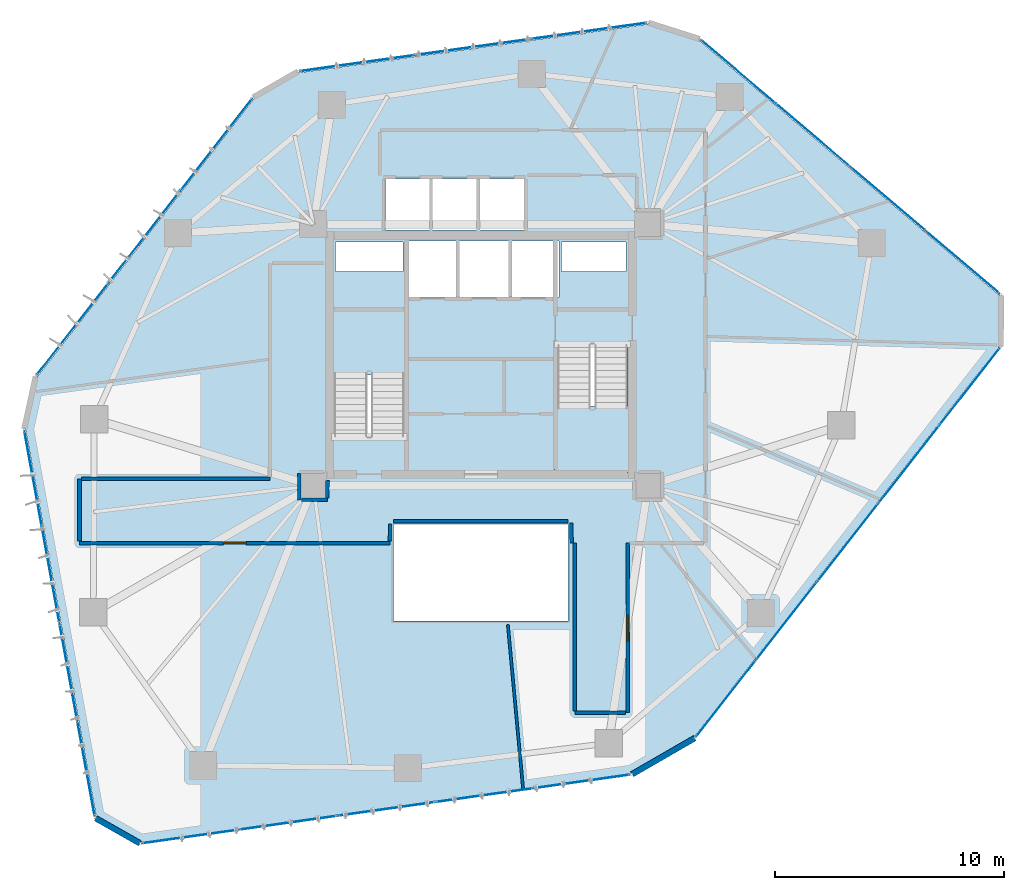
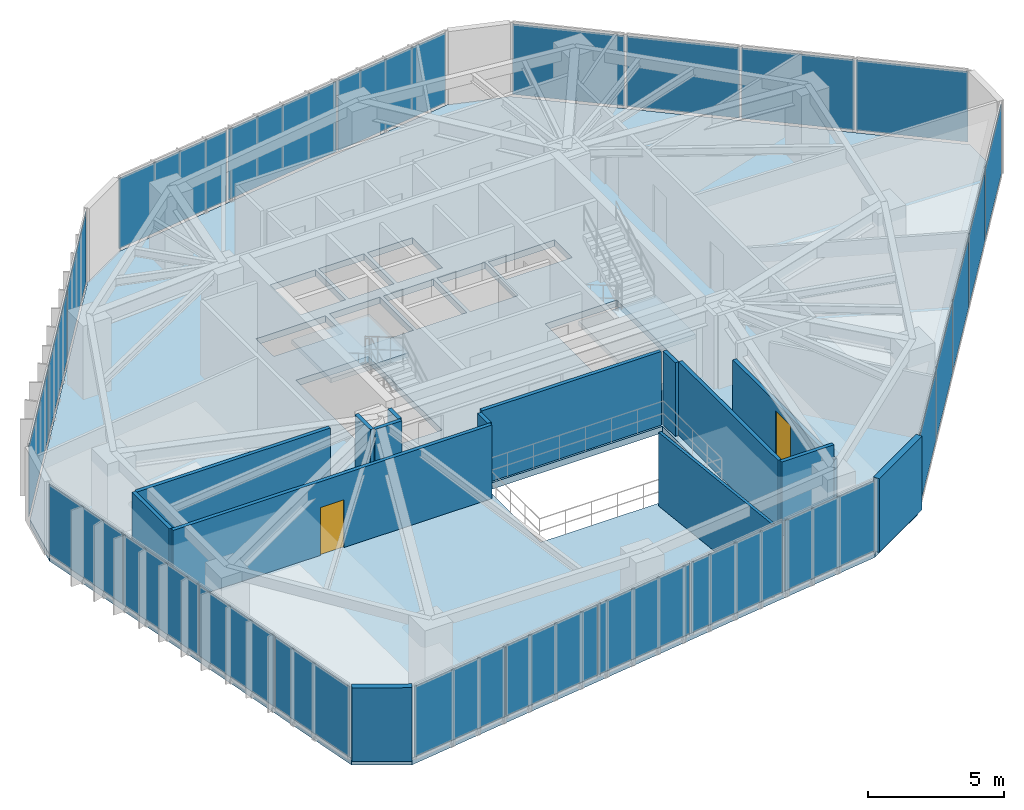
# One storey, part 18 of 24: 24 plates, 15 walls, 3 slabs, 2 doors, 2 openings, 8 elements without a shape of their own.
"""IFC4 building model written with IfcOpenShell, lengths in metres."""

import ifcopenshell
import ifcopenshell.guid

model = None  # the IFC model being written
_history = None  # IfcOwnerHistory: only IFC2X3 demands one
_inside = {}  # id of a spatial element -> (the spatial element, [elements in it])
_under = {}  # id of a project, library or spatial element -> (it, [spatial elements below it])
_declared = {}  # id of a project -> (the project, [libraries it declares])
_typed = {}  # id of a type object -> (the type object, [elements of that type])
_made_of = {}  # id of a material, layer set ... -> (it, [elements and type objects made of it])


def new_model(schema):
    """Start an empty IFC model of exactly this schema.

    Asked for "IFC4X3", IfcOpenShell would pick the latest addendum, in which some entities
    have other attributes; the version numbers below select the first issue.
    IFC2X3 requires an IfcOwnerHistory on every rooted entity: one is made here for all.
    """
    global model, _history
    if schema == "IFC4X3":
        model = ifcopenshell.file(schema_version=(4, 3, 0, 0))
    else:
        model = ifcopenshell.file(schema=schema)
    _inside.clear()
    _under.clear()
    _declared.clear()
    _typed.clear()
    _made_of.clear()
    _history = None
    if model.schema == "IFC2X3":
        org = make("IfcOrganization", Name="unknown")
        user = make(
            "IfcPersonAndOrganization",
            ThePerson=make("IfcPerson", FamilyName="unknown"),
            TheOrganization=org,
        )
        app = make(
            "IfcApplication",
            ApplicationDeveloper=org,
            Version="unknown",
            ApplicationFullName="unknown",
            ApplicationIdentifier="unknown",
        )
        _history = make(
            "IfcOwnerHistory",
            OwningUser=user,
            OwningApplication=app,
            ChangeAction="ADDED",
            CreationDate=0,
        )
    return model


def make(cls, **values):
    """One entity of the class cls with the attributes given. An attribute that is None is left unset."""
    return model.create_entity(
        cls, **{name: value for name, value in values.items() if value is not None}
    )


def rooted(cls, **values):
    """An entity with a GlobalId (a new one), such as an element, a storey or a relation."""
    return make(cls, GlobalId=ifcopenshell.guid.new(), OwnerHistory=_history, **values)


def si_unit(unit_type, name, prefix=None):
    """IfcSIUnit, for example si_unit("LENGTHUNIT", "METRE", prefix="MILLI")."""
    return make("IfcSIUnit", UnitType=unit_type, Prefix=prefix, Name=name)


def assignment(units):
    """IfcUnitAssignment: the units of a project."""
    return None if units is None else make("IfcUnitAssignment", Units=units)


def point(xyz):
    """IfcCartesianPoint."""
    return None if xyz is None else make("IfcCartesianPoint", Coordinates=xyz)


def direction(xyz):
    """IfcDirection."""
    return None if xyz is None else make("IfcDirection", DirectionRatios=xyz)


def frame(location, z_axis=None, x_axis=None):
    """IfcAxis2Placement3D, a coordinate frame: its origin and axes. An axis left out is left unset."""
    return make(
        "IfcAxis2Placement3D",
        Location=point(location),
        Axis=direction(z_axis),
        RefDirection=direction(x_axis),
    )


def frame_2d(location, x_axis=None):
    """IfcAxis2Placement2D, a coordinate frame in the plane: its origin and x axis."""
    return make(
        "IfcAxis2Placement2D", Location=point(location), RefDirection=direction(x_axis)
    )


def origin():
    """The frame at (0, 0, 0) with its axes left unset."""
    return frame((0.0, 0.0, 0.0))


def origin_2d():
    """The frame at (0, 0) in the plane with its x axis left unset."""
    return frame_2d((0.0, 0.0))


def place(relative_to, where):
    """IfcLocalPlacement: puts the frame where relative to a parent placement (None: the world)."""
    return make(
        "IfcLocalPlacement", PlacementRelTo=relative_to, RelativePlacement=where
    )


def context(
    kind, dimensions, precision=None, world=None, true_north=None, identifier=None
):
    """IfcGeometricRepresentationContext, for example the 3D "Model" context."""
    return make(
        "IfcGeometricRepresentationContext",
        ContextIdentifier=identifier,
        ContextType=kind,
        CoordinateSpaceDimension=dimensions,
        Precision=precision,
        WorldCoordinateSystem=world,
        TrueNorth=true_north,
    )


def subcontext(parent, identifier, kind, view, scale=None):
    """IfcGeometricRepresentationSubContext, for example "Body" below "Model"."""
    return make(
        "IfcGeometricRepresentationSubContext",
        ContextIdentifier=identifier,
        ContextType=kind,
        ParentContext=parent,
        TargetScale=scale,
        TargetView=view,
    )


def project(units=None, contexts=None):
    """IfcProject with its units and contexts."""
    return rooted(
        "IfcProject",
        Name="project",
        RepresentationContexts=contexts,
        UnitsInContext=assignment(units),
    )


def spatial(cls, under=None, at=None, **own):
    """A site, building, storey or space (cls), placed at a placement, below another one or the project."""
    s = rooted(cls, ObjectPlacement=at, **own)
    if under is not None:
        _under.setdefault(under.id(), (under, []))[1].append(s)
    return s


def polyline(points):
    """IfcPolyline through the points."""
    return make("IfcPolyline", Points=[point(p) for p in points])


def profile(cls, at=None, kind="AREA", **sizes):
    """A parametric profile (cls). Its sizes go by their IFC names, for example OverallWidth=200.0."""
    return make(cls, ProfileType=kind, Position=at, **sizes)


def rectangle(**sizes):
    """IfcRectangleProfileDef."""
    return profile("IfcRectangleProfileDef", **sizes)


def outline(outer, holes=None, kind="AREA"):
    """IfcArbitraryClosedProfileDef: a profile drawn as a closed curve; with holes, ...WithVoids."""
    if holes is None:
        return make("IfcArbitraryClosedProfileDef", ProfileType=kind, OuterCurve=outer)
    return make(
        "IfcArbitraryProfileDefWithVoids",
        ProfileType=kind,
        OuterCurve=outer,
        InnerCurves=holes,
    )


def extrude(swept, where, along, depth):
    """IfcExtrudedAreaSolid: the profile swept, set in the frame where, extruded along a direction by depth."""
    return make(
        "IfcExtrudedAreaSolid",
        SweptArea=swept,
        Position=where,
        ExtrudedDirection=direction(along),
        Depth=depth,
    )


def shape(context_of_items, identifier, shape_type, items):
    """IfcShapeRepresentation: the items that make up one representation, for example the "Body"."""
    return make(
        "IfcShapeRepresentation",
        ContextOfItems=context_of_items,
        RepresentationIdentifier=identifier,
        RepresentationType=shape_type,
        Items=items,
    )


def source(mapping_origin, context_of_items, identifier, shape_type, items):
    """IfcRepresentationMap: a shape defined once, which mapped items show again and again."""
    return make(
        "IfcRepresentationMap",
        MappingOrigin=mapping_origin,
        MappedRepresentation=shape(context_of_items, identifier, shape_type, items),
    )


def transform(
    local_origin,
    x_axis=None,
    y_axis=None,
    z_axis=None,
    scale=None,
    scale2=None,
    scale3=None,
    uniform=True,
):
    """IfcCartesianTransformationOperator3D, or its non-uniform kind. x_axis, y_axis, z_axis: its Axis1, 2, 3."""
    if uniform:
        return make(
            "IfcCartesianTransformationOperator3D",
            Axis1=direction(x_axis),
            Axis2=direction(y_axis),
            LocalOrigin=point(local_origin),
            Scale=scale,
            Axis3=direction(z_axis),
        )
    return make(
        "IfcCartesianTransformationOperator3DnonUniform",
        Axis1=direction(x_axis),
        Axis2=direction(y_axis),
        LocalOrigin=point(local_origin),
        Scale=scale,
        Axis3=direction(z_axis),
        Scale2=scale2,
        Scale3=scale3,
    )


def mapped(mapping_source, mapping_target):
    """IfcMappedItem: shows the shape of a source again, moved by a transform."""
    return make(
        "IfcMappedItem", MappingSource=mapping_source, MappingTarget=mapping_target
    )


def material(Name=None, Category=None):
    """IfcMaterial."""
    return make("IfcMaterial", Name=Name, Category=Category)


def layer(
    of_material, thickness, ventilated=None, Name=None, Category=None, Priority=None
):
    """IfcMaterialLayer: one layer of a wall or slab, of a material (None: an air gap)."""
    return make(
        "IfcMaterialLayer",
        Material=of_material,
        LayerThickness=thickness,
        IsVentilated=ventilated,
        Name=Name,
        Category=Category,
        Priority=Priority,
    )


def layer_set(layers, Name=None):
    """IfcMaterialLayerSet."""
    return make("IfcMaterialLayerSet", MaterialLayers=layers, LayerSetName=Name)


def made_of(thing, what):
    """Note that an element or type object is made of a material, layer set ...; save() writes the relation."""
    if what is not None:
        _made_of.setdefault(what.id(), (what, []))[1].append(thing)
    return thing


def type_object(cls, material=None, **own):
    """A type object (cls), such as IfcWallType, which elements share."""
    return made_of(rooted(cls, **own), material)


def type_shapes(of_type, sources):
    """Give a type object the sources (RepresentationMaps) that its elements show as mapped items."""
    of_type.RepresentationMaps = sources


def element(
    cls,
    number,
    at=None,
    inside=None,
    cuts=None,
    type_object=None,
    material=None,
    context=None,
    identifier="Body",
    shape_type=None,
    held_by="IfcProductDefinitionShape",
    body=None,
    shapes=None,
    **own,
):
    """One element of the class cls, such as IfcWall. Its Tag is "e" and its number.

    at: its placement. inside: the storey or other place that contains it. cuts: it is an
    opening in that element (IfcRelVoidsElement). A single representation is given by context,
    identifier, shape_type and body (its items); several are given by shapes. held_by: the class
    of the entity that holds the representations. save() writes the other relations.
    """
    e = rooted(cls, Tag="e%d" % number, ObjectPlacement=at, **own)
    if body is not None:
        shapes = [shape(context, identifier, shape_type, body)]
    if shapes is not None:
        e.Representation = make(held_by, Representations=shapes)
    if inside is not None:
        _inside.setdefault(inside.id(), (inside, []))[1].append(e)
    if cuts is not None:
        rooted(
            "IfcRelVoidsElement", RelatingBuildingElement=cuts, RelatedOpeningElement=e
        )
    if type_object is not None:
        _typed.setdefault(type_object.id(), (type_object, []))[1].append(e)
    return made_of(e, material)


def fill(opening, filler):
    """IfcRelFillsElement: the door or window that sits in an opening."""
    return rooted(
        "IfcRelFillsElement",
        RelatingOpeningElement=opening,
        RelatedBuildingElement=filler,
    )


def aggregate(whole, parts):
    """IfcRelAggregates: a whole, such as a stair, and the parts it consists of."""
    return rooted("IfcRelAggregates", RelatingObject=whole, RelatedObjects=parts)


def save(model, path):
    """Write the relations noted so far, then the file.

    IfcRelAggregates (storeys below a building ...), IfcRelContainedInSpatialStructure (elements
    in a storey), IfcRelDefinesByType, IfcRelAssociatesMaterial and IfcRelDeclares: one each for
    every whole, place, type object, material and project.
    """
    for whole, parts in _under.values():
        aggregate(whole, parts)
    for where, things in _inside.values():
        rooted(
            "IfcRelContainedInSpatialStructure",
            RelatedElements=things,
            RelatingStructure=where,
        )
    for kind, things in _typed.values():
        rooted("IfcRelDefinesByType", RelatedObjects=things, RelatingType=kind)
    for what, things in _made_of.values():
        rooted("IfcRelAssociatesMaterial", RelatedObjects=things, RelatingMaterial=what)
    for by, libraries in _declared.values():
        rooted("IfcRelDeclares", RelatingContext=by, RelatedDefinitions=libraries)
    model.write(path)


model = new_model("IFC4")

# Units and contexts
model_context = context("Model", 3, precision=1e-05, world=origin(), true_north=direction((0.0, 1.0)))
body_context = subcontext(model_context, "Body", "Model", "MODEL_VIEW")
ifc_project = project(units=[si_unit("LENGTHUNIT", "METRE"), si_unit("AREAUNIT", "SQUARE_METRE"), si_unit("VOLUMEUNIT", "CUBIC_METRE"), si_unit("PLANEANGLEUNIT", "RADIAN"), si_unit("MASSUNIT", "GRAM", prefix="KILO")], contexts=[model_context])

# Site, building, storey
site_placement = place(None, origin())
site = spatial("IfcSite", under=ifc_project, at=site_placement, CompositionType="ELEMENT")
building_placement = place(site_placement, origin())
building = spatial("IfcBuilding", under=site, at=building_placement, Name="Talar Marvaseh", CompositionType="ELEMENT")
storey_placement = place(building_placement, frame((0.0, 0.0, 114.60009765625)))
storey = spatial("IfcBuildingStorey", under=building, at=storey_placement, Name="L29", CompositionType="ELEMENT", Elevation=114.60009765625)

# Stair, slab
ifc_material_1 = material(Name="Concrete C40/50", Category="concrete")
stair_type = type_object("IfcStairType", Name="Reinforced Concrete Half-Turn Exit Stair Type B", PredefinedType="HALF_TURN_STAIR", material=ifc_material_1)
stair_1_placement = place(storey_placement, origin())
stair_1 = element("IfcStair", 1, at=stair_1_placement, inside=storey, type_object=stair_type, Name="L29 Tower West Core Exit Stair", PredefinedType="HALF_TURN_STAIR")
ifc_layer_1 = layer(ifc_material_1, 0.199951171875)
ifc_layer_set_1 = layer_set([ifc_layer_1], Name="Concrete C40/50")
slab_type_1 = type_object("IfcSlabType", Name="Reinforced Concrete Stair Half-Landing Slab 200", PredefinedType="LANDING", material=ifc_layer_set_1)
slab_1_placement = place(storey_placement, frame((0.0, 0.0, 1.599853515625)))
slab_1 = element("IfcSlab", 2, at=slab_1_placement, type_object=slab_type_1, Name="ST-1 landing 1", PredefinedType="LANDING", context=body_context, shape_type="SweptSolid", body=[
    extrude(outline(polyline([(22.780029296875, 30.330078125), (22.780029296875, 33.219970703125), (19.47998046875, 33.219970703125), (19.47998046875, 30.330078125), (22.780029296875, 30.330078125)])), origin(), (0.0, 0.0, 1.0), 0.199951171875),
])
aggregate(stair_1, [slab_1])

stair_2_placement = place(storey_placement, origin())
stair_2 = element("IfcStair", 3, at=stair_2_placement, inside=storey, type_object=stair_type, Name="L29 Tower East Core Exit Stair", PredefinedType="HALF_TURN_STAIR")
slab_2_placement = place(storey_placement, frame((0.0, 0.0, 1.599853515625)))
slab_2 = element("IfcSlab", 4, at=slab_2_placement, type_object=slab_type_1, Name="ST-2 landing 1", PredefinedType="LANDING", context=body_context, shape_type="SweptSolid", body=[
    extrude(outline(polyline([(29.219970703125, 28.969970703125), (29.219970703125, 26.080078125), (32.52001953125, 26.080078125), (32.52001953125, 28.969970703125), (29.219970703125, 28.969970703125)])), origin(), (0.0, 0.0, 1.0), 0.199951171875),
])
aggregate(stair_2, [slab_2])

# Slab
ifc_layer_2 = layer(ifc_material_1, 0.2900390625)
ifc_layer_set_2 = layer_set([ifc_layer_2], Name="Concrete C40/50")
slab_type_2 = type_object("IfcSlabType", Name="Structural Suspended Floor Slab 290", PredefinedType="FLOOR", material=ifc_layer_set_2)
slab_3_placement = place(storey_placement, frame((0.0, 0.0, -0.2900390625)))
element("IfcSlab", 5, at=slab_3_placement, inside=storey, type_object=slab_type_2, Name="L29 Tower Floor Slab", PredefinedType="FLOOR", context=body_context, shape_type="SweptSolid", body=[
    extrude(outline(polyline([(11.162109375, 9.955078125), (9.234375, 11.049072265625), (6.14697265625, 27.9609375), (6.6484375, 30.247314453125), (16.109375, 42.38623046875), (18.053466796875, 43.5087890625), (33.29638671875, 45.632568359375), (35.52734375, 44.923828125), (48.6298828125, 33.7939453125), (48.61328125, 31.577392578125), (35.301513671875, 14.54443359375), (32.569091796875, 12.966796875), (11.162109375, 9.955078125)]), holes=[polyline([(22.659912109375, 27.64990234375), (22.659912109375, 33.10009765625), (19.60009765625, 33.10009765625), (19.60009765625, 27.64990234375), (22.659912109375, 27.64990234375)]), polyline([(29.340087890625, 31.64990234375), (29.340087890625, 26.199951171875), (32.39990234375, 26.199951171875), (32.39990234375, 31.64990234375), (29.340087890625, 31.64990234375)]), polyline([(22.800048828125, 33.719970703125), (24.93994140625, 33.719970703125), (24.93994140625, 36.179931640625), (22.800048828125, 36.179931640625), (22.800048828125, 33.719970703125)]), polyline([(25.080078125, 33.719970703125), (27.219970703125, 33.719970703125), (27.219970703125, 36.179931640625), (25.080078125, 36.179931640625), (25.080078125, 33.719970703125)]), polyline([(27.360107421875, 33.719970703125), (29.39990234375, 33.719970703125), (29.39990234375, 36.179931640625), (27.360107421875, 36.179931640625), (27.360107421875, 33.719970703125)]), polyline([(21.840087890625, 36.659912109375), (23.760009765625, 36.659912109375), (23.760009765625, 38.8798828125), (21.840087890625, 38.8798828125), (21.840087890625, 36.659912109375)]), polyline([(23.89990234375, 36.659912109375), (25.820068359375, 36.659912109375), (25.820068359375, 38.8798828125), (23.89990234375, 38.8798828125), (23.89990234375, 36.659912109375)]), polyline([(25.9599609375, 36.659912109375), (27.8798828125, 36.659912109375), (27.8798828125, 38.8798828125), (25.9599609375, 38.8798828125), (25.9599609375, 36.659912109375)]), polyline([(19.659912109375, 34.840087890625), (22.60009765625, 34.840087890625), (22.60009765625, 36.139892578125), (19.659912109375, 36.139892578125), (19.659912109375, 34.840087890625)]), polyline([(29.52001953125, 34.840087890625), (32.340087890625, 34.840087890625), (32.340087890625, 36.139892578125), (29.52001953125, 36.139892578125), (29.52001953125, 34.840087890625)]), polyline([(22.199951171875, 19.60009765625), (29.800048828125, 19.60009765625), (29.800048828125, 23.800048828125), (22.199951171875, 23.800048828125), (22.199951171875, 19.60009765625)])]), origin(), (0.0, 0.0, 1.0), 0.2900390625),
])

# Curtain wall, plates
ifc_material_2 = material(Name="Architectural Aluminium", Category="aluminium")
ifc_layer_3 = layer(ifc_material_2, 0.199951171875)
ifc_layer_set_3 = layer_set([ifc_layer_3], Name="Architectural Aluminium")
curtain_wall_type = type_object("IfcCurtainWallType", Name="Unitised Acoustic Library Curtain Wall Z2", PredefinedType="NOTDEFINED", material=ifc_layer_set_3)
curtain_wall_1_placement = place(storey_placement, origin())
curtain_wall_1 = element("IfcCurtainWall", 6, at=curtain_wall_1_placement, inside=storey, type_object=curtain_wall_type, Name="L29 Unitised Acoustic Library Curtain Wall Z2", PredefinedType="NOTDEFINED")
ifc_material_3 = material(Name="Laminated Low-E Solar Glass", Category="glass")
ifc_layer_4 = layer(ifc_material_3, 0.028076171875)
ifc_layer_set_4 = layer_set([ifc_layer_4], Name="Laminated Low-E Solar Glass")
plate_type = type_object("IfcPlateType", Name="Double-Glazed Low-E Vision Curtain Panel 28", PredefinedType="CURTAIN_PANEL", material=ifc_layer_set_4)
shared_shape_1 = source(origin(), body_context, "Body", "SweptSolid", [
    extrude(rectangle(XDim=4.185302734375, YDim=0.028076171875, at=origin_2d()), origin(), (0.0, 0.0, 1.0), 3.159912109375),
])
plate_1_placement = place(storey_placement, frame((8.7861328125, 13.170654296875, 0.07470703125), z_axis=(0.0, 0.0, 1.0), x_axis=(-0.179594345885, 0.983740753921, 0.0)))
plate_1 = element("IfcPlate", 7, at=plate_1_placement, type_object=plate_type, Name="CW-Z2 panel 1.1", PredefinedType="CURTAIN_PANEL", context=body_context, shape_type="MappedRepresentation", body=[
    mapped(shared_shape_1, transform((0.0, 0.0, 0.0), x_axis=(1.0, 0.0, 0.0), y_axis=(0.0, 1.0, 0.0), z_axis=(0.0, 0.0, 1.0), scale=1.0)),
])
plate_2_placement = place(storey_placement, frame((6.477294921875, 25.81787109375, 0.07470703125), z_axis=(0.0, 0.0, 1.0), x_axis=(-0.179594345885, 0.983740753921, 0.0)))
plate_2 = element("IfcPlate", 8, at=plate_2_placement, type_object=plate_type, Name="CW-Z2 panel 4.1", PredefinedType="CURTAIN_PANEL", context=body_context, shape_type="MappedRepresentation", body=[
    mapped(shared_shape_1, transform((0.0, 0.0, 0.0), x_axis=(1.0, 0.0, 0.0), y_axis=(0.0, 1.0, 0.0), z_axis=(0.0, 0.0, 1.0), scale=1.0)),
])

curtain_wall_2_placement = place(storey_placement, origin())
curtain_wall_2 = element("IfcCurtainWall", 9, at=curtain_wall_2_placement, inside=storey, type_object=curtain_wall_type, Name="L29 Unitised Acoustic Library Curtain Wall Z2", PredefinedType="NOTDEFINED")
plate_3_placement = place(storey_placement, frame((37.21826171875, 43.566162109375, 0.07470703125), z_axis=(0.0, 0.0, 1.0), x_axis=(0.762146665884, -0.647404401964, 0.0)))
plate_3 = element("IfcPlate", 10, at=plate_3_placement, type_object=plate_type, Name="CW-Z2 panel 1.1", PredefinedType="CURTAIN_PANEL", context=body_context, shape_type="MappedRepresentation", body=[
    mapped(shared_shape_1, transform((0.0, 0.0, 0.0), x_axis=(1.0, 0.0, 0.0), y_axis=(0.0, 1.0, 0.0), z_axis=(0.0, 0.0, 1.0), scale=1.0)),
])
plate_4_placement = place(storey_placement, frame((47.0166015625, 35.242919921875, 0.07470703125), z_axis=(0.0, 0.0, 1.0), x_axis=(0.762146665884, -0.647404401964, 0.0)))
plate_4 = element("IfcPlate", 11, at=plate_4_placement, type_object=plate_type, Name="CW-Z2 panel 4.1", PredefinedType="CURTAIN_PANEL", context=body_context, shape_type="MappedRepresentation", body=[
    mapped(shared_shape_1, transform((0.0, 0.0, 0.0), x_axis=(1.0, 0.0, 0.0), y_axis=(0.0, 1.0, 0.0), z_axis=(0.0, 0.0, 1.0), scale=1.0)),
])

# Plate
shared_shape_2 = source(origin(), body_context, "Body", "SweptSolid", [
    extrude(rectangle(XDim=4.222900390625, YDim=0.028076171875, at=origin_2d()), origin(), (0.0, 0.0, 1.0), 3.159912109375),
])
plate_5_placement = place(storey_placement, frame((8.017578125, 17.380126953125, 0.07470703125), z_axis=(0.0, 0.0, 1.0), x_axis=(-0.179594345885, 0.983740753921, 0.0)))
plate_5 = element("IfcPlate", 12, at=plate_5_placement, type_object=plate_type, Name="CW-Z2 panel 2.1", PredefinedType="CURTAIN_PANEL", context=body_context, shape_type="MappedRepresentation", body=[
    mapped(shared_shape_2, transform((0.0, 0.0, 0.0), x_axis=(1.0, 0.0, 0.0), y_axis=(0.0, 1.0, 0.0), z_axis=(0.0, 0.0, 1.0), scale=1.0)),
])

plate_6_placement = place(storey_placement, frame((7.24560546875, 21.608154296875, 0.07470703125), z_axis=(0.0, 0.0, 1.0), x_axis=(-0.179594345885, 0.983740753921, 0.0)))
plate_6 = element("IfcPlate", 13, at=plate_6_placement, type_object=plate_type, Name="CW-Z2 panel 3.1", PredefinedType="CURTAIN_PANEL", context=body_context, shape_type="MappedRepresentation", body=[
    mapped(shared_shape_2, transform((0.0, 0.0, 0.0), x_axis=(1.0, 0.0, 0.0), y_axis=(0.0, 1.0, 0.0), z_axis=(0.0, 0.0, 1.0), scale=1.0)),
])

aggregate(curtain_wall_1, [plate_1, plate_5, plate_6, plate_2])

plate_7_placement = place(storey_placement, frame((40.4794921875, 40.7958984375, 0.07470703125), z_axis=(0.0, 0.0, 1.0), x_axis=(0.762146665884, -0.647404401964, 0.0)))
plate_7 = element("IfcPlate", 14, at=plate_7_placement, type_object=plate_type, Name="CW-Z2 panel 2.1", PredefinedType="CURTAIN_PANEL", context=body_context, shape_type="MappedRepresentation", body=[
    mapped(shared_shape_2, transform((0.0, 0.0, 0.0), x_axis=(1.0, 0.0, 0.0), y_axis=(0.0, 1.0, 0.0), z_axis=(0.0, 0.0, 1.0), scale=1.0)),
])

plate_8_placement = place(storey_placement, frame((43.755126953125, 38.013427734375, 0.07470703125), z_axis=(0.0, 0.0, 1.0), x_axis=(0.762146665884, -0.647404401964, 0.0)))
plate_8 = element("IfcPlate", 15, at=plate_8_placement, type_object=plate_type, Name="CW-Z2 panel 3.1", PredefinedType="CURTAIN_PANEL", context=body_context, shape_type="MappedRepresentation", body=[
    mapped(shared_shape_2, transform((0.0, 0.0, 0.0), x_axis=(1.0, 0.0, 0.0), y_axis=(0.0, 1.0, 0.0), z_axis=(0.0, 0.0, 1.0), scale=1.0)),
])

aggregate(curtain_wall_2, [plate_3, plate_7, plate_8, plate_4])

# Curtain wall, plates
curtain_wall_3_placement = place(storey_placement, origin())
curtain_wall_3 = element("IfcCurtainWall", 16, at=curtain_wall_3_placement, inside=storey, type_object=curtain_wall_type, Name="L29 Unitised Acoustic Library Curtain Wall Z2", PredefinedType="NOTDEFINED")
shared_shape_3 = source(origin(), body_context, "Body", "SweptSolid", [
    extrude(rectangle(XDim=5.017578125, YDim=0.028076171875, at=origin_2d()), origin(), (0.0, 0.0, 1.0), 3.159912109375),
])
plate_9_placement = place(storey_placement, frame((8.189453125, 32.322265625, 0.07470703125), z_axis=(0.0, 0.0, 1.0), x_axis=(0.614730221131, 0.788737443785, 0.0)))
plate_9 = element("IfcPlate", 17, at=plate_9_placement, type_object=plate_type, Name="CW-Z2 panel 1.1", PredefinedType="CURTAIN_PANEL", context=body_context, shape_type="MappedRepresentation", body=[
    mapped(shared_shape_3, transform((0.0, 0.0, 0.0), x_axis=(1.0, 0.0, 0.0), y_axis=(0.0, 1.0, 0.0), z_axis=(0.0, 0.0, 1.0), scale=1.0)),
])
plate_10_placement = place(storey_placement, frame((14.4736328125, 40.38525390625, 0.07470703125), z_axis=(0.0, 0.0, 1.0), x_axis=(0.614730221131, 0.788737443785, 0.0)))
plate_10 = element("IfcPlate", 18, at=plate_10_placement, type_object=plate_type, Name="CW-Z2 panel 3.1", PredefinedType="CURTAIN_PANEL", context=body_context, shape_type="MappedRepresentation", body=[
    mapped(shared_shape_3, transform((0.0, 0.0, 0.0), x_axis=(1.0, 0.0, 0.0), y_axis=(0.0, 1.0, 0.0), z_axis=(0.0, 0.0, 1.0), scale=1.0)),
])

curtain_wall_4_placement = place(storey_placement, origin())
curtain_wall_4 = element("IfcCurtainWall", 19, at=curtain_wall_4_placement, inside=storey, type_object=curtain_wall_type, Name="L29 Unitised Acoustic Library Curtain Wall Z2", PredefinedType="NOTDEFINED")
plate_11_placement = place(storey_placement, frame((20.604248046875, 43.9248046875, 0.07470703125), z_axis=(0.0, 0.0, 1.0), x_axis=(0.990432589629, 0.137997410848, 0.0)))
plate_11 = element("IfcPlate", 20, at=plate_11_placement, type_object=plate_type, Name="CW-Z2 panel 1.1", PredefinedType="CURTAIN_PANEL", context=body_context, shape_type="MappedRepresentation", body=[
    mapped(shared_shape_3, transform((0.0, 0.0, 0.0), x_axis=(1.0, 0.0, 0.0), y_axis=(0.0, 1.0, 0.0), z_axis=(0.0, 0.0, 1.0), scale=1.0)),
])
plate_12_placement = place(storey_placement, frame((30.72900390625, 45.33544921875, 0.07470703125), z_axis=(0.0, 0.0, 1.0), x_axis=(0.990432589629, 0.137997410848, 0.0)))
plate_12 = element("IfcPlate", 21, at=plate_12_placement, type_object=plate_type, Name="CW-Z2 panel 3.1", PredefinedType="CURTAIN_PANEL", context=body_context, shape_type="MappedRepresentation", body=[
    mapped(shared_shape_3, transform((0.0, 0.0, 0.0), x_axis=(1.0, 0.0, 0.0), y_axis=(0.0, 1.0, 0.0), z_axis=(0.0, 0.0, 1.0), scale=1.0)),
])
shared_shape_4 = source(origin(), body_context, "Body", "SweptSolid", [
    extrude(rectangle(XDim=5.054931640625, YDim=0.028076171875, at=origin_2d()), origin(), (0.0, 0.0, 1.0), 3.159912109375),
])
plate_13_placement = place(storey_placement, frame((25.666748046875, 44.630126953125, 0.07470703125), z_axis=(0.0, 0.0, 1.0), x_axis=(0.990432589629, 0.137997410848, 0.0)))
plate_13 = element("IfcPlate", 22, at=plate_13_placement, type_object=plate_type, Name="CW-Z2 panel 2.1", PredefinedType="CURTAIN_PANEL", context=body_context, shape_type="MappedRepresentation", body=[
    mapped(shared_shape_4, transform((0.0, 0.0, 0.0), x_axis=(1.0, 0.0, 0.0), y_axis=(0.0, 1.0, 0.0), z_axis=(0.0, 0.0, 1.0), scale=1.0)),
])
aggregate(curtain_wall_4, [plate_11, plate_13, plate_12])

# Plate
shared_shape_5 = source(origin(), body_context, "Body", "SweptSolid", [
    extrude(rectangle(XDim=5.05517578125, YDim=0.028076171875, at=origin_2d()), origin(), (0.0, 0.0, 1.0), 3.159912109375),
])
plate_14_placement = place(storey_placement, frame((11.33154296875, 36.353759765625, 0.07470703125), z_axis=(0.0, 0.0, 1.0), x_axis=(0.614730221131, 0.788737443785, 0.0)))
plate_14 = element("IfcPlate", 23, at=plate_14_placement, type_object=plate_type, Name="CW-Z2 panel 2.1", PredefinedType="CURTAIN_PANEL", context=body_context, shape_type="MappedRepresentation", body=[
    mapped(shared_shape_5, transform((0.0, 0.0, 0.0), x_axis=(1.0, 0.0, 0.0), y_axis=(0.0, 1.0, 0.0), z_axis=(0.0, 0.0, 1.0), scale=1.0)),
])

aggregate(curtain_wall_3, [plate_9, plate_14, plate_10])

# Curtain wall, plates
curtain_wall_5_placement = place(storey_placement, origin())
curtain_wall_5 = element("IfcCurtainWall", 24, at=curtain_wall_5_placement, inside=storey, type_object=curtain_wall_type, Name="L29 Unitised Acoustic Library Curtain Wall Z2", PredefinedType="NOTDEFINED")
shared_shape_6 = source(origin(), body_context, "Body", "SweptSolid", [
    extrude(rectangle(XDim=4.2109375, YDim=0.028076171875, at=origin_2d()), origin(), (0.0, 0.0, 1.0), 3.159912109375),
])
plate_15_placement = place(storey_placement, frame((47.31787109375, 29.822509765625, 0.07470703125), z_axis=(0.0, 0.0, 1.0), x_axis=(-0.615783262175, -0.787915588134, 0.0)))
plate_15 = element("IfcPlate", 25, at=plate_15_placement, type_object=plate_type, Name="CW-Z2 panel 1.1", PredefinedType="CURTAIN_PANEL", context=body_context, shape_type="MappedRepresentation", body=[
    mapped(shared_shape_6, transform((0.0, 0.0, 0.0), x_axis=(1.0, 0.0, 0.0), y_axis=(0.0, 1.0, 0.0), z_axis=(0.0, 0.0, 1.0), scale=1.0)),
])
plate_16_placement = place(storey_placement, frame((36.69140625, 16.2255859375, 0.07470703125), z_axis=(0.0, 0.0, 1.0), x_axis=(-0.615783262175, -0.787915588134, 0.0)))
plate_16 = element("IfcPlate", 26, at=plate_16_placement, type_object=plate_type, Name="CW-Z2 panel 5.1", PredefinedType="CURTAIN_PANEL", context=body_context, shape_type="MappedRepresentation", body=[
    mapped(shared_shape_6, transform((0.0, 0.0, 0.0), x_axis=(1.0, 0.0, 0.0), y_axis=(0.0, 1.0, 0.0), z_axis=(0.0, 0.0, 1.0), scale=1.0)),
])

curtain_wall_6_placement = place(storey_placement, origin())
curtain_wall_6 = element("IfcCurtainWall", 27, at=curtain_wall_6_placement, inside=storey, type_object=curtain_wall_type, Name="L29 Unitised Acoustic Library Curtain Wall Z2", PredefinedType="NOTDEFINED")
plate_17_placement = place(storey_placement, frame((30.418212890625, 12.603759765625, 0.07470703125), z_axis=(0.0, 0.0, 1.0), x_axis=(-0.990246659088, -0.139325353633, 0.0)))
plate_17 = element("IfcPlate", 28, at=plate_17_placement, type_object=plate_type, Name="CW-Z2 panel 1.1", PredefinedType="CURTAIN_PANEL", context=body_context, shape_type="MappedRepresentation", body=[
    mapped(shared_shape_6, transform((0.0, 0.0, 0.0), x_axis=(1.0, 0.0, 0.0), y_axis=(0.0, 1.0, 0.0), z_axis=(0.0, 0.0, 1.0), scale=1.0)),
])
plate_18_placement = place(storey_placement, frame((13.329833984375, 10.199462890625, 0.07470703125), z_axis=(0.0, 0.0, 1.0), x_axis=(-0.990246659088, -0.139325353633, 0.0)))
plate_18 = element("IfcPlate", 29, at=plate_18_placement, type_object=plate_type, Name="CW-Z2 panel 5.1", PredefinedType="CURTAIN_PANEL", context=body_context, shape_type="MappedRepresentation", body=[
    mapped(shared_shape_6, transform((0.0, 0.0, 0.0), x_axis=(1.0, 0.0, 0.0), y_axis=(0.0, 1.0, 0.0), z_axis=(0.0, 0.0, 1.0), scale=1.0)),
])

# Plate
shared_shape_7 = source(origin(), body_context, "Body", "SweptSolid", [
    extrude(rectangle(XDim=4.24853515625, YDim=0.028076171875, at=origin_2d()), origin(), (0.0, 0.0, 1.0), 3.159912109375),
])
type_shapes(plate_type, [shared_shape_1, shared_shape_2, shared_shape_3, shared_shape_4, shared_shape_5, shared_shape_6, shared_shape_7])
plate_19_placement = place(storey_placement, frame((44.6669921875, 26.4306640625, 0.07470703125), z_axis=(0.0, 0.0, 1.0), x_axis=(-0.615783262175, -0.787915588134, 0.0)))
plate_19 = element("IfcPlate", 30, at=plate_19_placement, type_object=plate_type, Name="CW-Z2 panel 2.1", PredefinedType="CURTAIN_PANEL", context=body_context, shape_type="MappedRepresentation", body=[
    mapped(shared_shape_7, transform((0.0, 0.0, 0.0), x_axis=(1.0, 0.0, 0.0), y_axis=(0.0, 1.0, 0.0), z_axis=(0.0, 0.0, 1.0), scale=1.0)),
])

plate_20_placement = place(storey_placement, frame((42.004638671875, 23.024169921875, 0.07470703125), z_axis=(0.0, 0.0, 1.0), x_axis=(-0.615783262175, -0.787915588134, 0.0)))
plate_20 = element("IfcPlate", 31, at=plate_20_placement, type_object=plate_type, Name="CW-Z2 panel 3.1", PredefinedType="CURTAIN_PANEL", context=body_context, shape_type="MappedRepresentation", body=[
    mapped(shared_shape_7, transform((0.0, 0.0, 0.0), x_axis=(1.0, 0.0, 0.0), y_axis=(0.0, 1.0, 0.0), z_axis=(0.0, 0.0, 1.0), scale=1.0)),
])

plate_21_placement = place(storey_placement, frame((39.34228515625, 19.617431640625, 0.07470703125), z_axis=(0.0, 0.0, 1.0), x_axis=(-0.615783262175, -0.787915588134, 0.0)))
plate_21 = element("IfcPlate", 32, at=plate_21_placement, type_object=plate_type, Name="CW-Z2 panel 4.1", PredefinedType="CURTAIN_PANEL", context=body_context, shape_type="MappedRepresentation", body=[
    mapped(shared_shape_7, transform((0.0, 0.0, 0.0), x_axis=(1.0, 0.0, 0.0), y_axis=(0.0, 1.0, 0.0), z_axis=(0.0, 0.0, 1.0), scale=1.0)),
])

aggregate(curtain_wall_5, [plate_15, plate_19, plate_20, plate_21, plate_16])

plate_22_placement = place(storey_placement, frame((26.155517578125, 12.00390625, 0.07470703125), z_axis=(0.0, 0.0, 1.0), x_axis=(-0.990246659088, -0.139325353633, 0.0)))
plate_22 = element("IfcPlate", 33, at=plate_22_placement, type_object=plate_type, Name="CW-Z2 panel 2.1", PredefinedType="CURTAIN_PANEL", context=body_context, shape_type="MappedRepresentation", body=[
    mapped(shared_shape_7, transform((0.0, 0.0, 0.0), x_axis=(1.0, 0.0, 0.0), y_axis=(0.0, 1.0, 0.0), z_axis=(0.0, 0.0, 1.0), scale=1.0)),
])

plate_23_placement = place(storey_placement, frame((21.8740234375, 11.401611328125, 0.07470703125), z_axis=(0.0, 0.0, 1.0), x_axis=(-0.990246659088, -0.139325353633, 0.0)))
plate_23 = element("IfcPlate", 34, at=plate_23_placement, type_object=plate_type, Name="CW-Z2 panel 3.1", PredefinedType="CURTAIN_PANEL", context=body_context, shape_type="MappedRepresentation", body=[
    mapped(shared_shape_7, transform((0.0, 0.0, 0.0), x_axis=(1.0, 0.0, 0.0), y_axis=(0.0, 1.0, 0.0), z_axis=(0.0, 0.0, 1.0), scale=1.0)),
])

plate_24_placement = place(storey_placement, frame((17.5927734375, 10.799072265625, 0.07470703125), z_axis=(0.0, 0.0, 1.0), x_axis=(-0.990246659088, -0.139325353633, 0.0)))
plate_24 = element("IfcPlate", 35, at=plate_24_placement, type_object=plate_type, Name="CW-Z2 panel 4.1", PredefinedType="CURTAIN_PANEL", context=body_context, shape_type="MappedRepresentation", body=[
    mapped(shared_shape_7, transform((0.0, 0.0, 0.0), x_axis=(1.0, 0.0, 0.0), y_axis=(0.0, 1.0, 0.0), z_axis=(0.0, 0.0, 1.0), scale=1.0)),
])

aggregate(curtain_wall_6, [plate_17, plate_22, plate_23, plate_24, plate_18])

# Walls
ifc_material_4 = material(Name="Precast concrete C45/55", Category="concrete")
ifc_layer_5 = layer(ifc_material_4, 0.2548828125)
ifc_layer_set_5 = layer_set([ifc_layer_5], Name="Precast concrete C45/55")
wall_type_1 = type_object("IfcWallType", Name="Chamfered Hexagonal Corner Pier Wall Z2 255", PredefinedType="SOLIDWALL", material=ifc_layer_set_5)
wall_1_placement = place(storey_placement, frame((11.132568359375, 9.90283203125, 0.0), z_axis=(0.0, 0.0, 1.0), x_axis=(-0.869710194914, 0.493562738527, 0.0)))
element("IfcWall", 36, at=wall_1_placement, inside=storey, type_object=wall_type_1, Name="L29 Chamfered Corner Limestone Pier 1", PredefinedType="SOLIDWALL", context=body_context, shape_type="SweptSolid", body=[
    extrude(rectangle(XDim=2.216552734375, YDim=0.2548828125, at=frame_2d((1.1083984375, 0.0))), origin(), (0.0, 0.0, 1.0), 3.309814453125),
])
wall_2_placement = place(storey_placement, frame((35.33154296875, 14.492431640625, 0.0), z_axis=(0.0, 0.0, 1.0), x_axis=(-0.866015493058, -0.500017165488, 0.0)))
element("IfcWall", 37, at=wall_2_placement, inside=storey, type_object=wall_type_1, Name="L29 Chamfered Corner Limestone Pier 6", PredefinedType="SOLIDWALL", context=body_context, shape_type="SweptSolid", body=[
    extrude(rectangle(XDim=3.1552734375, YDim=0.2548828125, at=frame_2d((1.57763671875, 0.0))), origin(), (0.0, 0.0, 1.0), 3.309814453125),
])

# Wall, opening, door
ifc_material_5 = material(Name="Gypsum Board Partition Assembly")
ifc_layer_6 = layer(ifc_material_5, 0.155029296875)
ifc_layer_set_6 = layer_set([ifc_layer_6], Name="Gypsum Board Partition Assembly")
wall_type_2 = type_object("IfcWallType", Name="Corridor Fire-Rated Acoustic Partition 155", PredefinedType="PARTITIONING", material=ifc_layer_set_6)
wall_3_placement = place(storey_placement, frame((22.0400390625, 23.0, 0.0), z_axis=(0.0, 0.0, 1.0), x_axis=(-1.0, 0.0, 0.0)))
wall_3 = element("IfcWall", 38, at=wall_3_placement, inside=storey, type_object=wall_type_2, Name="L29 Interior Partition Wall", PredefinedType="PARTITIONING", context=body_context, shape_type="SweptSolid", body=[
    extrude(rectangle(XDim=13.5400390625, YDim=0.155029296875, at=frame_2d((6.77001953125, 0.0))), origin(), (0.0, 0.0, 1.0), 3.309814453125),
])
opening_1_placement = place(wall_3_placement, frame((6.27001953125, 0.0, 0.0)))
opening_1 = element("IfcOpeningElement", 39, at=opening_1_placement, cuts=wall_3, Name="Opening DR-RM100", PredefinedType="OPENING", context=body_context, shape_type="SweptSolid", body=[
    extrude(rectangle(XDim=1.0, YDim=2.14990234375, at=frame_2d((0.5, 1.074951171875))), frame((0.0, 0.08740234375, 0.0), z_axis=(0.0, -1.0, 0.0), x_axis=(1.0, 0.0, 0.0)), (0.0, 0.0, 1.0), 0.175048828125),
])
ifc_material_6 = material(Name="Acoustic Engineered Oak Timber", Category="wood")
door_type_1 = type_object("IfcDoorType", Name="Corridor Fire-Rated Gallery Door 1000x2150", OperationType="NOTDEFINED", PredefinedType="DOOR", material=ifc_material_6)
shared_shape_8 = source(origin(), body_context, "Body", "SweptSolid", [
    extrude(rectangle(XDim=1.0, YDim=2.14990234375, at=frame_2d((0.5, 1.074951171875))), frame((0.0, 0.02490234375, 0.0), z_axis=(0.0, -1.0, 0.0), x_axis=(1.0, 0.0, 0.0)), (0.0, 0.0, 1.0), 0.050048828125),
])
type_shapes(door_type_1, [shared_shape_8])
door_1_placement = place(opening_1_placement, origin())
door_1 = element("IfcDoor", 40, at=door_1_placement, inside=storey, type_object=door_type_1, Name="L29 Curatorial Office Door", OperationType="SINGLE_SWING_RIGHT", OverallHeight=2.14990234375, OverallWidth=1.0, PredefinedType="DOOR", context=body_context, shape_type="MappedRepresentation", body=[
    mapped(shared_shape_8, transform((0.0, 0.0, 0.0), x_axis=(1.0, 0.0, 0.0), y_axis=(0.0, 1.0, 0.0), z_axis=(0.0, 0.0, 1.0), scale=1.0)),
])
fill(opening_1, door_1)

wall_4_placement = place(storey_placement, frame((32.39990234375, 23.0, 0.0), z_axis=(0.0, 0.0, 1.0), x_axis=(0.0, -1.0, 0.0)))
wall_4 = element("IfcWall", 41, at=wall_4_placement, inside=storey, type_object=wall_type_2, Name="L29 Interior Partition Wall", PredefinedType="PARTITIONING", context=body_context, shape_type="SweptSolid", body=[
    extrude(rectangle(XDim=7.39990234375, YDim=0.155029296875, at=frame_2d((3.699951171875, 0.0))), origin(), (0.0, 0.0, 1.0), 2.58984375),
])
opening_2_placement = place(wall_4_placement, frame((3.14990234375, 0.0, 0.0)))
opening_2 = element("IfcOpeningElement", 42, at=opening_2_placement, cuts=wall_4, Name="Opening DR-RM110", PredefinedType="OPENING", context=body_context, shape_type="SweptSolid", body=[
    extrude(rectangle(XDim=1.10009765625, YDim=2.199951171875, at=frame_2d((0.550048828125, 1.10009765625))), frame((0.0, 0.08740234375, 0.0), z_axis=(0.0, -1.0, 0.0), x_axis=(1.0, 0.0, 0.0)), (0.0, 0.0, 1.0), 0.175048828125),
])
door_type_2 = type_object("IfcDoorType", Name="Assembly and Reading Hall Door 1100x2200", OperationType="NOTDEFINED", PredefinedType="DOOR", material=ifc_material_6)
shared_shape_9 = source(origin(), body_context, "Body", "SweptSolid", [
    extrude(rectangle(XDim=1.10009765625, YDim=2.199951171875, at=frame_2d((0.550048828125, 1.10009765625))), frame((0.0, 0.02490234375, 0.0), z_axis=(0.0, -1.0, 0.0), x_axis=(1.0, 0.0, 0.0)), (0.0, 0.0, 1.0), 0.050048828125),
])
type_shapes(door_type_2, [shared_shape_9])
door_2_placement = place(opening_2_placement, origin())
door_2 = element("IfcDoor", 43, at=door_2_placement, inside=storey, type_object=door_type_2, Name="L29 Gallery Concierge Reception Door", OperationType="SINGLE_SWING_LEFT", OverallHeight=2.199951171875, OverallWidth=1.10009765625, PredefinedType="DOOR", context=body_context, shape_type="MappedRepresentation", body=[
    mapped(shared_shape_9, transform((0.0, 0.0, 0.0), x_axis=(1.0, 0.0, 0.0), y_axis=(0.0, 1.0, 0.0), z_axis=(0.0, 0.0, 1.0), scale=1.0)),
])
fill(opening_2, door_2)

# Walls
wall_5_placement = place(storey_placement, frame((29.800048828125, 23.9599609375, 0.0), z_axis=(0.0, 0.0, 1.0), x_axis=(-0.999999995375, -9.617234e-05, 0.0)))
element("IfcWall", 44, at=wall_5_placement, inside=storey, type_object=wall_type_2, Name="L29 Interior Partition Wall", PredefinedType="PARTITIONING", context=body_context, shape_type="SweptSolid", body=[
    extrude(rectangle(XDim=7.61572265625, YDim=0.155029296875, at=frame_2d((3.807861328125, 0.0))), origin(), (0.0, 0.0, 1.0), 3.309814453125),
])
wall_6_placement = place(storey_placement, frame((22.043212890625, 23.831298828125, 0.0), z_axis=(0.0, 0.0, 1.0), x_axis=(-0.003917697652, -0.999992325793, 0.0)))
element("IfcWall", 45, at=wall_6_placement, inside=storey, type_object=wall_type_2, Name="L29 Interior Partition Wall", PredefinedType="PARTITIONING", context=body_context, shape_type="SweptSolid", body=[
    extrude(rectangle(XDim=0.747802734375, YDim=0.155029296875, at=frame_2d((0.3740234375, 0.0))), origin(), (0.0, 0.0, 1.0), 3.309814453125),
])
wall_7_placement = place(storey_placement, frame((8.5, 23.08349609375, 0.0), z_axis=(0.0, 0.0, 1.0), x_axis=(0.0, 1.0, 0.0)))
element("IfcWall", 46, at=wall_7_placement, inside=storey, type_object=wall_type_2, Name="L29 Interior Partition Wall", PredefinedType="PARTITIONING", context=body_context, shape_type="SweptSolid", body=[
    extrude(rectangle(XDim=2.716552734375, YDim=0.155029296875, at=frame_2d((1.3583984375, 0.0))), origin(), (0.0, 0.0, 1.0), 3.309814453125),
])
wall_8_placement = place(storey_placement, frame((8.58349609375, 25.800048828125, 0.0), z_axis=(0.0, 0.0, 1.0), x_axis=(1.0, 0.0, 0.0)))
element("IfcWall", 47, at=wall_8_placement, inside=storey, type_object=wall_type_2, Name="L29 Interior Partition Wall", PredefinedType="PARTITIONING", context=body_context, shape_type="SweptSolid", body=[
    extrude(rectangle(XDim=8.216552734375, YDim=0.155029296875, at=frame_2d((4.1083984375, 0.0))), origin(), (0.0, 0.0, 1.0), 3.309814453125),
])
wall_9_placement = place(storey_placement, frame((18.088623046875, 26.02587890625, 0.0), z_axis=(0.0, 0.0, 1.0), x_axis=(0.002787893948, -0.999996113816, 0.0)))
element("IfcWall", 48, at=wall_9_placement, inside=storey, type_object=wall_type_2, Name="L29 Interior Partition Wall", PredefinedType="PARTITIONING", context=body_context, shape_type="SweptSolid", body=[
    extrude(rectangle(XDim=1.138427734375, YDim=0.155029296875, at=frame_2d((0.5693359375, 0.0))), origin(), (0.0, 0.0, 1.0), 3.309814453125),
])
wall_10_placement = place(storey_placement, frame((18.17529296875, 24.8876953125, 0.0), z_axis=(0.0, 0.0, 1.0), x_axis=(0.999999791525, 0.000645716611, 0.0)))
element("IfcWall", 49, at=wall_10_placement, inside=storey, type_object=wall_type_2, Name="L29 Interior Partition Wall", PredefinedType="PARTITIONING", context=body_context, shape_type="SweptSolid", body=[
    extrude(rectangle(XDim=1.13427734375, YDim=0.155029296875, at=frame_2d((0.567138671875, 0.0))), origin(), (0.0, 0.0, 1.0), 3.309814453125),
])
wall_11_placement = place(storey_placement, frame((19.31005859375, 24.971923828125, 0.0), z_axis=(0.0, 0.0, 1.0), x_axis=(0.006441090216, 0.999979255963, 0.0)))
element("IfcWall", 50, at=wall_11_placement, inside=storey, type_object=wall_type_2, Name="L29 Interior Partition Wall", PredefinedType="PARTITIONING", context=body_context, shape_type="SweptSolid", body=[
    extrude(rectangle(XDim=0.758056640625, YDim=0.155029296875, at=frame_2d((0.37890625, 0.0))), origin(), (0.0, 0.0, 1.0), 3.309814453125),
])
wall_12_placement = place(storey_placement, frame((32.31640625, 15.60009765625, 0.0), z_axis=(0.0, 0.0, 1.0), x_axis=(-1.0, 0.0, 0.0)))
element("IfcWall", 51, at=wall_12_placement, inside=storey, type_object=wall_type_2, Name="L29 Interior Partition Wall", PredefinedType="PARTITIONING", context=body_context, shape_type="SweptSolid", body=[
    extrude(rectangle(XDim=2.21630859375, YDim=0.155029296875, at=frame_2d((1.108154296875, 0.0))), origin(), (0.0, 0.0, 1.0), 3.309814453125),
])
wall_13_placement = place(storey_placement, frame((30.10009765625, 15.68359375, 0.0), z_axis=(0.0, 0.0, 1.0), x_axis=(0.0, 1.0, 0.0)))
element("IfcWall", 52, at=wall_13_placement, inside=storey, type_object=wall_type_2, Name="L29 Interior Partition Wall", PredefinedType="PARTITIONING", context=body_context, shape_type="SweptSolid", body=[
    extrude(rectangle(XDim=7.31640625, YDim=0.155029296875, at=frame_2d((3.658203125, 0.0))), origin(), (0.0, 0.0, 1.0), 3.309814453125),
])
wall_14_placement = place(storey_placement, frame((29.9599609375, 23.0, 0.0), z_axis=(0.0, 0.0, 1.0), x_axis=(-0.021467444279, 0.999769547864, 0.0)))
element("IfcWall", 53, at=wall_14_placement, inside=storey, type_object=wall_type_2, Name="L29 Interior Partition Wall", PredefinedType="PARTITIONING", context=body_context, shape_type="SweptSolid", body=[
    extrude(rectangle(XDim=0.875732421875, YDim=0.155029296875, at=frame_2d((0.43798828125, 0.0))), origin(), (0.0, 0.0, 1.0), 3.309814453125),
])
ifc_layer_7 = layer(ifc_material_5, 0.1201171875)
ifc_layer_set_7 = layer_set([ifc_layer_7], Name="Gypsum Board Partition Assembly")
wall_type_3 = type_object("IfcWallType", Name="Demountable Studio Room Partition 120", PredefinedType="PARTITIONING", material=ifc_layer_set_7)
wall_15_placement = place(storey_placement, frame((27.179931640625, 19.43994140625, 0.0), z_axis=(0.0, 0.0, 1.0), x_axis=(0.092488186206, -0.995713781873, 0.0)))
element("IfcWall", 54, at=wall_15_placement, inside=storey, type_object=wall_type_3, Name="L29 Interior Partition Wall", PredefinedType="PARTITIONING", context=body_context, shape_type="SweptSolid", body=[
    extrude(rectangle(XDim=7.20361328125, YDim=0.1201171875, at=frame_2d((3.601806640625, 0.0))), origin(), (0.0, 0.0, 1.0), 3.309814453125),
])

save(model, "model.ifc")
